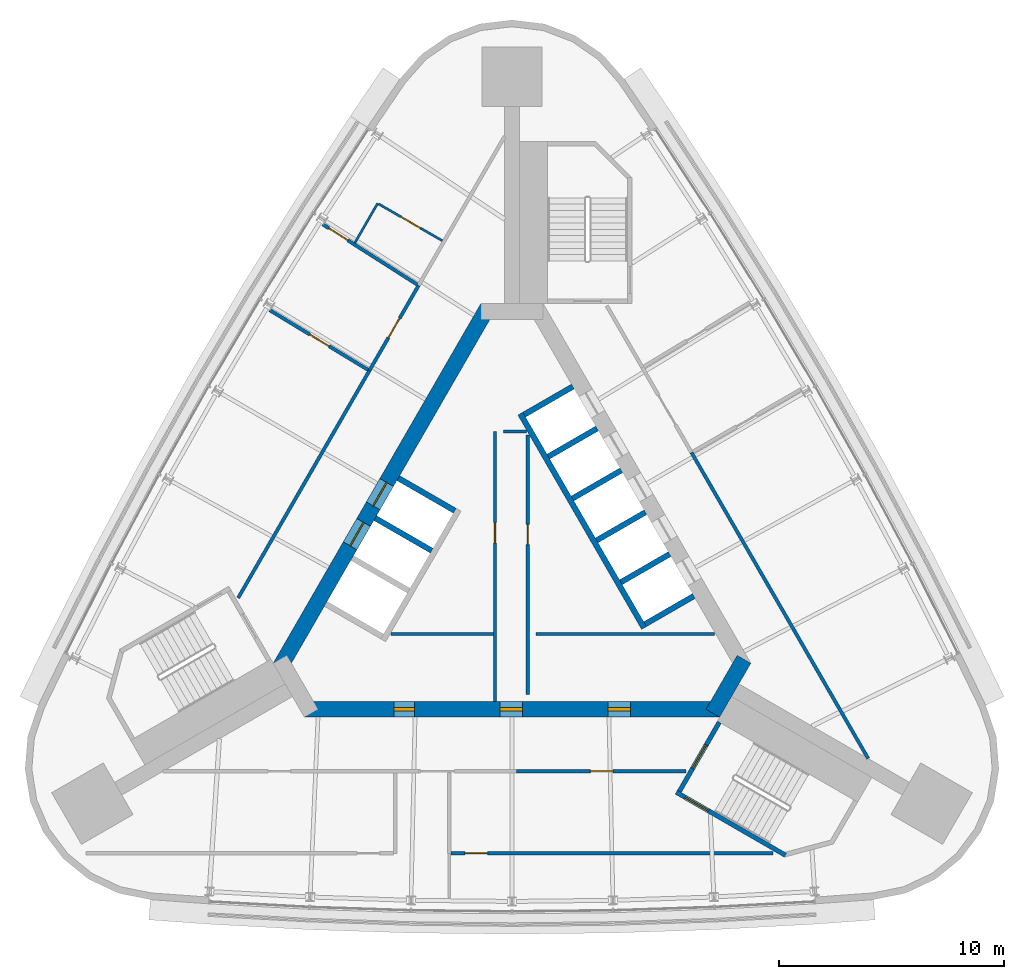
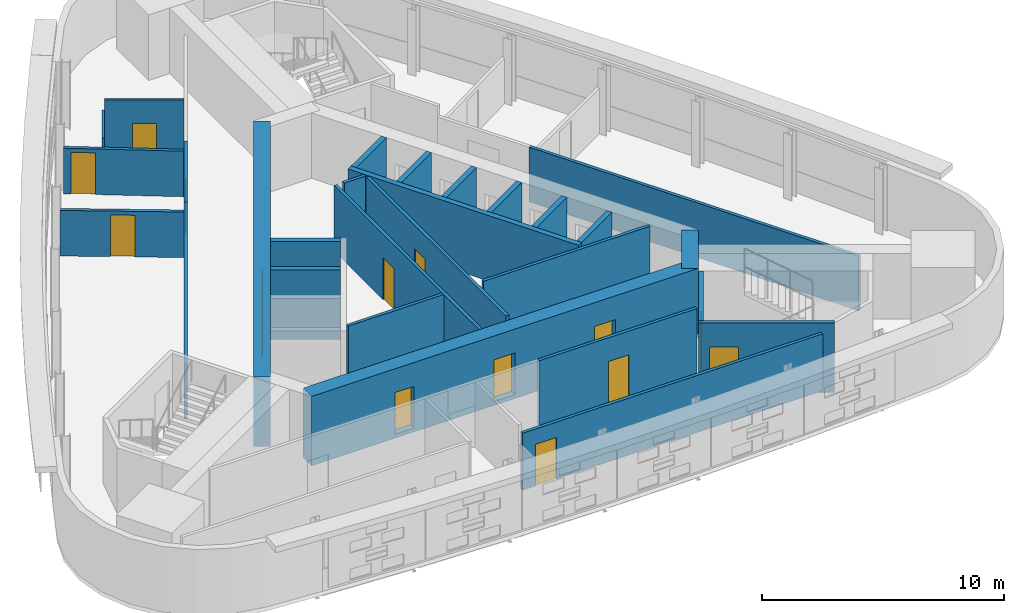
# One storey, part 7 of 11: 28 walls, 15 doors, 15 openings.
"""IFC4 building model written with IfcOpenShell, lengths in metres."""

import ifcopenshell
import ifcopenshell.guid

model = None  # the IFC model being written
_history = None  # IfcOwnerHistory: only IFC2X3 demands one
_inside = {}  # id of a spatial element -> (the spatial element, [elements in it])
_under = {}  # id of a project, library or spatial element -> (it, [spatial elements below it])
_declared = {}  # id of a project -> (the project, [libraries it declares])
_typed = {}  # id of a type object -> (the type object, [elements of that type])
_made_of = {}  # id of a material, layer set ... -> (it, [elements and type objects made of it])


def new_model(schema):
    """Start an empty IFC model of exactly this schema.

    Asked for "IFC4X3", IfcOpenShell would pick the latest addendum, in which some entities
    have other attributes; the version numbers below select the first issue.
    IFC2X3 requires an IfcOwnerHistory on every rooted entity: one is made here for all.
    """
    global model, _history
    if schema == "IFC4X3":
        model = ifcopenshell.file(schema_version=(4, 3, 0, 0))
    else:
        model = ifcopenshell.file(schema=schema)
    _inside.clear()
    _under.clear()
    _declared.clear()
    _typed.clear()
    _made_of.clear()
    _history = None
    if model.schema == "IFC2X3":
        org = make("IfcOrganization", Name="unknown")
        user = make(
            "IfcPersonAndOrganization",
            ThePerson=make("IfcPerson", FamilyName="unknown"),
            TheOrganization=org,
        )
        app = make(
            "IfcApplication",
            ApplicationDeveloper=org,
            Version="unknown",
            ApplicationFullName="unknown",
            ApplicationIdentifier="unknown",
        )
        _history = make(
            "IfcOwnerHistory",
            OwningUser=user,
            OwningApplication=app,
            ChangeAction="ADDED",
            CreationDate=0,
        )
    return model


def make(cls, **values):
    """One entity of the class cls with the attributes given. An attribute that is None is left unset."""
    return model.create_entity(
        cls, **{name: value for name, value in values.items() if value is not None}
    )


def rooted(cls, **values):
    """An entity with a GlobalId (a new one), such as an element, a storey or a relation."""
    return make(cls, GlobalId=ifcopenshell.guid.new(), OwnerHistory=_history, **values)


def si_unit(unit_type, name, prefix=None):
    """IfcSIUnit, for example si_unit("LENGTHUNIT", "METRE", prefix="MILLI")."""
    return make("IfcSIUnit", UnitType=unit_type, Prefix=prefix, Name=name)


def assignment(units):
    """IfcUnitAssignment: the units of a project."""
    return None if units is None else make("IfcUnitAssignment", Units=units)


def point(xyz):
    """IfcCartesianPoint."""
    return None if xyz is None else make("IfcCartesianPoint", Coordinates=xyz)


def direction(xyz):
    """IfcDirection."""
    return None if xyz is None else make("IfcDirection", DirectionRatios=xyz)


def frame(location, z_axis=None, x_axis=None):
    """IfcAxis2Placement3D, a coordinate frame: its origin and axes. An axis left out is left unset."""
    return make(
        "IfcAxis2Placement3D",
        Location=point(location),
        Axis=direction(z_axis),
        RefDirection=direction(x_axis),
    )


def frame_2d(location, x_axis=None):
    """IfcAxis2Placement2D, a coordinate frame in the plane: its origin and x axis."""
    return make(
        "IfcAxis2Placement2D", Location=point(location), RefDirection=direction(x_axis)
    )


def origin():
    """The frame at (0, 0, 0) with its axes left unset."""
    return frame((0.0, 0.0, 0.0))


def place(relative_to, where):
    """IfcLocalPlacement: puts the frame where relative to a parent placement (None: the world)."""
    return make(
        "IfcLocalPlacement", PlacementRelTo=relative_to, RelativePlacement=where
    )


def context(
    kind, dimensions, precision=None, world=None, true_north=None, identifier=None
):
    """IfcGeometricRepresentationContext, for example the 3D "Model" context."""
    return make(
        "IfcGeometricRepresentationContext",
        ContextIdentifier=identifier,
        ContextType=kind,
        CoordinateSpaceDimension=dimensions,
        Precision=precision,
        WorldCoordinateSystem=world,
        TrueNorth=true_north,
    )


def subcontext(parent, identifier, kind, view, scale=None):
    """IfcGeometricRepresentationSubContext, for example "Body" below "Model"."""
    return make(
        "IfcGeometricRepresentationSubContext",
        ContextIdentifier=identifier,
        ContextType=kind,
        ParentContext=parent,
        TargetScale=scale,
        TargetView=view,
    )


def project(units=None, contexts=None):
    """IfcProject with its units and contexts."""
    return rooted(
        "IfcProject",
        Name="project",
        RepresentationContexts=contexts,
        UnitsInContext=assignment(units),
    )


def spatial(cls, under=None, at=None, **own):
    """A site, building, storey or space (cls), placed at a placement, below another one or the project."""
    s = rooted(cls, ObjectPlacement=at, **own)
    if under is not None:
        _under.setdefault(under.id(), (under, []))[1].append(s)
    return s


def profile(cls, at=None, kind="AREA", **sizes):
    """A parametric profile (cls). Its sizes go by their IFC names, for example OverallWidth=200.0."""
    return make(cls, ProfileType=kind, Position=at, **sizes)


def rectangle(**sizes):
    """IfcRectangleProfileDef."""
    return profile("IfcRectangleProfileDef", **sizes)


def extrude(swept, where, along, depth):
    """IfcExtrudedAreaSolid: the profile swept, set in the frame where, extruded along a direction by depth."""
    return make(
        "IfcExtrudedAreaSolid",
        SweptArea=swept,
        Position=where,
        ExtrudedDirection=direction(along),
        Depth=depth,
    )


def shape(context_of_items, identifier, shape_type, items):
    """IfcShapeRepresentation: the items that make up one representation, for example the "Body"."""
    return make(
        "IfcShapeRepresentation",
        ContextOfItems=context_of_items,
        RepresentationIdentifier=identifier,
        RepresentationType=shape_type,
        Items=items,
    )


def material(Name=None, Category=None):
    """IfcMaterial."""
    return make("IfcMaterial", Name=Name, Category=Category)


def layer(
    of_material, thickness, ventilated=None, Name=None, Category=None, Priority=None
):
    """IfcMaterialLayer: one layer of a wall or slab, of a material (None: an air gap)."""
    return make(
        "IfcMaterialLayer",
        Material=of_material,
        LayerThickness=thickness,
        IsVentilated=ventilated,
        Name=Name,
        Category=Category,
        Priority=Priority,
    )


def layer_set(layers, Name=None):
    """IfcMaterialLayerSet."""
    return make("IfcMaterialLayerSet", MaterialLayers=layers, LayerSetName=Name)


def made_of(thing, what):
    """Note that an element or type object is made of a material, layer set ...; save() writes the relation."""
    if what is not None:
        _made_of.setdefault(what.id(), (what, []))[1].append(thing)
    return thing


def type_object(cls, material=None, **own):
    """A type object (cls), such as IfcWallType, which elements share."""
    return made_of(rooted(cls, **own), material)


def element(
    cls,
    number,
    at=None,
    inside=None,
    cuts=None,
    type_object=None,
    material=None,
    context=None,
    identifier="Body",
    shape_type=None,
    held_by="IfcProductDefinitionShape",
    body=None,
    shapes=None,
    **own,
):
    """One element of the class cls, such as IfcWall. Its Tag is "e" and its number.

    at: its placement. inside: the storey or other place that contains it. cuts: it is an
    opening in that element (IfcRelVoidsElement). A single representation is given by context,
    identifier, shape_type and body (its items); several are given by shapes. held_by: the class
    of the entity that holds the representations. save() writes the other relations.
    """
    e = rooted(cls, Tag="e%d" % number, ObjectPlacement=at, **own)
    if body is not None:
        shapes = [shape(context, identifier, shape_type, body)]
    if shapes is not None:
        e.Representation = make(held_by, Representations=shapes)
    if inside is not None:
        _inside.setdefault(inside.id(), (inside, []))[1].append(e)
    if cuts is not None:
        rooted(
            "IfcRelVoidsElement", RelatingBuildingElement=cuts, RelatedOpeningElement=e
        )
    if type_object is not None:
        _typed.setdefault(type_object.id(), (type_object, []))[1].append(e)
    return made_of(e, material)


def fill(opening, filler):
    """IfcRelFillsElement: the door or window that sits in an opening."""
    return rooted(
        "IfcRelFillsElement",
        RelatingOpeningElement=opening,
        RelatedBuildingElement=filler,
    )


def aggregate(whole, parts):
    """IfcRelAggregates: a whole, such as a stair, and the parts it consists of."""
    return rooted("IfcRelAggregates", RelatingObject=whole, RelatedObjects=parts)


def save(model, path):
    """Write the relations noted so far, then the file.

    IfcRelAggregates (storeys below a building ...), IfcRelContainedInSpatialStructure (elements
    in a storey), IfcRelDefinesByType, IfcRelAssociatesMaterial and IfcRelDeclares: one each for
    every whole, place, type object, material and project.
    """
    for whole, parts in _under.values():
        aggregate(whole, parts)
    for where, things in _inside.values():
        rooted(
            "IfcRelContainedInSpatialStructure",
            RelatedElements=things,
            RelatingStructure=where,
        )
    for kind, things in _typed.values():
        rooted("IfcRelDefinesByType", RelatedObjects=things, RelatingType=kind)
    for what, things in _made_of.values():
        rooted("IfcRelAssociatesMaterial", RelatedObjects=things, RelatingMaterial=what)
    for by, libraries in _declared.values():
        rooted("IfcRelDeclares", RelatingContext=by, RelatedDefinitions=libraries)
    model.write(path)


model = new_model("IFC4")

# Units and contexts
model_context = context("Model", 3, precision=1e-05, world=origin(), true_north=direction((0.0, 1.0)))
body_context = subcontext(model_context, "Body", "Model", "MODEL_VIEW")
ifc_project = project(units=[si_unit("LENGTHUNIT", "METRE"), si_unit("AREAUNIT", "SQUARE_METRE"), si_unit("VOLUMEUNIT", "CUBIC_METRE"), si_unit("PLANEANGLEUNIT", "RADIAN"), si_unit("MASSUNIT", "GRAM", prefix="KILO")], contexts=[model_context])

# Site, building, storey
site_placement = place(None, origin())
site = spatial("IfcSite", under=ifc_project, at=site_placement, CompositionType="ELEMENT")
building_placement = place(site_placement, origin())
building = spatial("IfcBuilding", under=site, at=building_placement, Name="Noor Cloister Tower", CompositionType="ELEMENT")
storey_placement = place(building_placement, frame((0.0, 0.0, 206.699951171875)))
storey = spatial("IfcBuildingStorey", under=building, at=storey_placement, Name="L53", CompositionType="ELEMENT", Elevation=206.699951171875)

# Wall
ifc_material_1 = material(Name="Concrete C30/37", Category="concrete")
ifc_layer_1 = layer(ifc_material_1, 0.14990234375)
ifc_layer_set_1 = layer_set([ifc_layer_1], Name="Core partition 150 C30/37")
wall_type_1 = type_object("IfcWallType", Name="Core partition 150 C30/37", PredefinedType="PARTITIONING", material=ifc_layer_set_1)
wall_1_placement = place(storey_placement, frame((-5.373291015625, -3.228271484375, 0.0), z_axis=(0.0, 0.0, 1.0), x_axis=(1.0, 0.0, 0.0)))
element("IfcWall", 1, at=wall_1_placement, inside=storey, type_object=wall_type_1, Name="Core room partition L53 1", PredefinedType="PARTITIONING", context=body_context, shape_type="SweptSolid", body=[
    extrude(rectangle(XDim=4.544677734375, YDim=0.14990234375, at=frame_2d((2.2724609375, 0.0))), origin(), (0.0, 0.0, 1.0), 3.300048828125),
])

# Wall, opening, door
wall_2_placement = place(storey_placement, frame((-0.753662109375, 5.771728515625, 0.0), z_axis=(0.0, 0.0, 1.0), x_axis=(0.0, -1.0, 0.0)))
wall_2 = element("IfcWall", 2, at=wall_2_placement, inside=storey, type_object=wall_type_1, Name="Core room partition L53 2", PredefinedType="PARTITIONING", context=body_context, shape_type="SweptSolid", body=[
    extrude(rectangle(XDim=12.0, YDim=0.14990234375, at=frame_2d((6.0, 0.0))), origin(), (0.0, 0.0, 1.0), 3.300048828125),
])
opening_1_placement = place(wall_2_placement, frame((4.051025390625, 0.0, 0.0)))
opening_1 = element("IfcOpeningElement", 3, at=opening_1_placement, cuts=wall_2, Name="Opening L53-904", PredefinedType="OPENING", context=body_context, shape_type="SweptSolid", body=[
    extrude(rectangle(XDim=0.89990234375, YDim=2.10009765625, at=frame_2d((0.449951171875, 1.050048828125))), frame((0.0, 0.0849609375, 0.0), z_axis=(0.0, -1.0, 0.0), x_axis=(1.0, 0.0, 0.0)), (0.0, 0.0, 1.0), 0.169921875),
])
ifc_material_2 = material(Name="Steel", Category="steel")
door_type_1 = type_object("IfcDoorType", Name="Core door 900 x 2100 FD120", OperationType="SINGLE_SWING_LEFT", PredefinedType="DOOR", material=ifc_material_2)
door_1_placement = place(opening_1_placement, origin())
door_1 = element("IfcDoor", 4, at=door_1_placement, inside=storey, type_object=door_type_1, Name="Core door 4 L53", OperationType="SINGLE_SWING_RIGHT", OverallHeight=2.10009765625, OverallWidth=0.89990234375, PredefinedType="DOOR", context=body_context, shape_type="SweptSolid", body=[
    extrude(rectangle(XDim=0.89990234375, YDim=2.10009765625, at=frame_2d((0.449951171875, 1.050048828125))), frame((0.0, 0.02490234375, 0.0), z_axis=(0.0, -1.0, 0.0), x_axis=(1.0, 0.0, 0.0)), (0.0, 0.0, 1.0), 0.050048828125),
])
fill(opening_1, door_1)

# Wall
wall_3_placement = place(storey_placement, frame((-0.378662109375, 5.771728515625, 0.0), z_axis=(0.0, 0.0, 1.0), x_axis=(1.0, 0.0, 0.0)))
element("IfcWall", 5, at=wall_3_placement, inside=storey, type_object=wall_type_1, Name="Core room partition L53 3", PredefinedType="PARTITIONING", context=body_context, shape_type="SweptSolid", body=[
    extrude(rectangle(XDim=1.017578125, YDim=0.14990234375, at=frame_2d((0.5087890625, 0.0))), origin(), (0.0, 0.0, 1.0), 3.300048828125),
])

# Wall, opening, door
wall_4_placement = place(storey_placement, frame((0.6962890625, -5.92822265625, 0.0), z_axis=(0.0, 0.0, 1.0), x_axis=(0.0, 1.0, 0.0)))
wall_4 = element("IfcWall", 6, at=wall_4_placement, inside=storey, type_object=wall_type_1, Name="Core room partition L53 4", PredefinedType="PARTITIONING", context=body_context, shape_type="SweptSolid", body=[
    extrude(rectangle(XDim=11.548583984375, YDim=0.14990234375, at=frame_2d((5.7744140625, 0.0))), origin(), (0.0, 0.0, 1.0), 3.300048828125),
])
opening_2_placement = place(wall_4_placement, frame((6.67333984375, 0.0, 0.0)))
opening_2 = element("IfcOpeningElement", 7, at=opening_2_placement, cuts=wall_4, Name="Opening L53-905", PredefinedType="OPENING", context=body_context, shape_type="SweptSolid", body=[
    extrude(rectangle(XDim=0.89990234375, YDim=2.10009765625, at=frame_2d((0.449951171875, 1.050048828125))), frame((0.0, 0.0849609375, 0.0), z_axis=(0.0, -1.0, 0.0), x_axis=(1.0, 0.0, 0.0)), (0.0, 0.0, 1.0), 0.169921875),
])
door_2_placement = place(opening_2_placement, origin())
door_2 = element("IfcDoor", 8, at=door_2_placement, inside=storey, type_object=door_type_1, Name="Core door 5 L53", OperationType="SINGLE_SWING_LEFT", OverallHeight=2.10009765625, OverallWidth=0.89990234375, PredefinedType="DOOR", context=body_context, shape_type="SweptSolid", body=[
    extrude(rectangle(XDim=0.89990234375, YDim=2.10009765625, at=frame_2d((0.449951171875, 1.050048828125))), frame((0.0, 0.02490234375, 0.0), z_axis=(0.0, -1.0, 0.0), x_axis=(1.0, 0.0, 0.0)), (0.0, 0.0, 1.0), 0.050048828125),
])
fill(opening_2, door_2)

# Wall
wall_5_placement = place(storey_placement, frame((1.0712890625, -3.228271484375, 0.0), z_axis=(0.0, 0.0, 1.0), x_axis=(1.0, 0.0, 0.0)))
element("IfcWall", 9, at=wall_5_placement, inside=storey, type_object=wall_type_1, Name="Core room partition L53 5", PredefinedType="PARTITIONING", context=body_context, shape_type="SweptSolid", body=[
    extrude(rectangle(XDim=7.939208984375, YDim=0.14990234375, at=frame_2d((3.9697265625, 0.0))), origin(), (0.0, 0.0, 1.0), 3.300048828125),
])

# Wall, openings, doors
ifc_material_3 = material(Name="Concrete C70/85", Category="concrete")
ifc_layer_2 = layer(ifc_material_3, 0.699951171875)
ifc_layer_set_2 = layer_set([ifc_layer_2], Name="Core wall 700 C70/85")
wall_type_2 = type_object("IfcWallType", Name="Core wall 700 C70/85", PredefinedType="SHEAR", material=ifc_layer_set_2)
wall_6_placement = place(storey_placement, frame((-9.228759765625, -6.578125, -0.199951171875), z_axis=(0.0, 0.0, 1.0), x_axis=(1.0, 0.0, 0.0)))
wall_6 = element("IfcWall", 10, at=wall_6_placement, inside=storey, type_object=wall_type_2, Name="Core wall L53 1", PredefinedType="SHEAR", context=body_context, shape_type="SweptSolid", body=[
    extrude(rectangle(XDim=18.45751953125, YDim=0.699951171875, at=frame_2d((9.228759765625, 0.0))), origin(), (0.0, 0.0, 1.0), 3.5),
])
opening_3_placement = place(wall_6_placement, frame((8.699951171875, 0.0, 0.199951171875)))
opening_3 = element("IfcOpeningElement", 11, at=opening_3_placement, cuts=wall_6, Name="Opening L53-901", PredefinedType="OPENING", context=body_context, shape_type="SweptSolid", body=[
    extrude(rectangle(XDim=1.0, YDim=2.10009765625, at=frame_2d((0.5, 1.050048828125))), frame((0.0, 0.35986328125, 0.0), z_axis=(0.0, -1.0, 0.0), x_axis=(1.0, 0.0, 0.0)), (0.0, 0.0, 1.0), 0.719970703125),
])
opening_4_placement = place(wall_6_placement, frame((3.989501953125, 0.0, 0.199951171875)))
opening_4 = element("IfcOpeningElement", 12, at=opening_4_placement, cuts=wall_6, Name="Opening L53-902", PredefinedType="OPENING", context=body_context, shape_type="SweptSolid", body=[
    extrude(rectangle(XDim=0.89990234375, YDim=2.10009765625, at=frame_2d((0.449951171875, 1.050048828125))), frame((0.0, 0.35986328125, 0.0), z_axis=(0.0, -1.0, 0.0), x_axis=(1.0, 0.0, 0.0)), (0.0, 0.0, 1.0), 0.719970703125),
])
opening_5_placement = place(wall_6_placement, frame((13.489013671875, 0.0, 0.199951171875)))
opening_5 = element("IfcOpeningElement", 13, at=opening_5_placement, cuts=wall_6, Name="Opening L53-903", PredefinedType="OPENING", context=body_context, shape_type="SweptSolid", body=[
    extrude(rectangle(XDim=1.0, YDim=2.10009765625, at=frame_2d((0.5, 1.050048828125))), frame((0.0, 0.35986328125, 0.0), z_axis=(0.0, -1.0, 0.0), x_axis=(1.0, 0.0, 0.0)), (0.0, 0.0, 1.0), 0.719970703125),
])
ifc_material_4 = material(Name="Steel", Category="steel")
door_type_2 = type_object("IfcDoorType", Name="Core door 1000 x 2100 FD120", OperationType="SINGLE_SWING_LEFT", PredefinedType="DOOR", material=ifc_material_4)
door_3_placement = place(opening_3_placement, origin())
door_3 = element("IfcDoor", 14, at=door_3_placement, inside=storey, type_object=door_type_2, Name="Core door 1 L53", OperationType="SINGLE_SWING_LEFT", OverallHeight=2.10009765625, OverallWidth=1.0, PredefinedType="DOOR", context=body_context, shape_type="SweptSolid", body=[
    extrude(rectangle(XDim=1.0, YDim=2.10009765625, at=frame_2d((0.5, 1.050048828125))), frame((0.0, 0.074951171875, 0.0), z_axis=(0.0, -1.0, 0.0), x_axis=(1.0, 0.0, 0.0)), (0.0, 0.0, 1.0), 0.14990234375),
])
fill(opening_3, door_3)
ifc_material_5 = material(Name="Steel", Category="steel")
door_type_3 = type_object("IfcDoorType", Name="Core door 1000 x 2100 FD60", OperationType="SINGLE_SWING_LEFT", PredefinedType="DOOR", material=ifc_material_5)
door_4_placement = place(opening_5_placement, origin())
door_4 = element("IfcDoor", 15, at=door_4_placement, inside=storey, type_object=door_type_3, Name="Core door 3 L53", OperationType="SINGLE_SWING_LEFT", OverallHeight=2.10009765625, OverallWidth=1.0, PredefinedType="DOOR", context=body_context, shape_type="SweptSolid", body=[
    extrude(rectangle(XDim=1.0, YDim=2.10009765625, at=frame_2d((0.5, 1.050048828125))), frame((0.0, 0.074951171875, 0.0), z_axis=(0.0, -1.0, 0.0), x_axis=(1.0, 0.0, 0.0)), (0.0, 0.0, 1.0), 0.14990234375),
])
fill(opening_5, door_4)
door_5_placement = place(opening_4_placement, origin())
door_5 = element("IfcDoor", 16, at=door_5_placement, inside=storey, type_object=door_type_1, Name="Core door 2 L53", OperationType="SINGLE_SWING_RIGHT", OverallHeight=2.10009765625, OverallWidth=0.89990234375, PredefinedType="DOOR", context=body_context, shape_type="SweptSolid", body=[
    extrude(rectangle(XDim=0.89990234375, YDim=2.10009765625, at=frame_2d((0.449951171875, 1.050048828125))), frame((0.0, 0.074951171875, 0.0), z_axis=(0.0, -1.0, 0.0), x_axis=(1.0, 0.0, 0.0)), (0.0, 0.0, 1.0), 0.14990234375),
])
fill(opening_4, door_5)

# Wall
wall_7_placement = place(storey_placement, frame((8.925537109375, -6.753173828125, -0.199951171875), z_axis=(0.0, 0.0, 1.0), x_axis=(0.500042739161, 0.866000726912, 0.0)))
element("IfcWall", 17, at=wall_7_placement, inside=storey, type_object=wall_type_2, Name="Core wall L53 2", PredefinedType="SHEAR", context=body_context, shape_type="SweptSolid", body=[
    extrude(rectangle(XDim=2.771240234375, YDim=0.699951171875, at=frame_2d((1.3857421875, 0.0))), origin(), (0.0, 0.0, 1.0), 3.5),
])

# Wall, openings, doors
wall_8_placement = place(storey_placement, frame((-1.08251953125, 11.281494140625, -0.199951171875), z_axis=(0.0, 0.0, 1.0), x_axis=(-0.500001446645, -0.866024568562, 0.0)))
wall_8 = element("IfcWall", 18, at=wall_8_placement, inside=storey, type_object=wall_type_2, Name="Core wall L53 5", PredefinedType="SHEAR", context=body_context, shape_type="SweptSolid", body=[
    extrude(rectangle(XDim=18.45751953125, YDim=0.699951171875, at=frame_2d((9.228759765625, 0.0))), origin(), (0.0, 0.0, 1.0), 3.5),
])
opening_6_placement = place(wall_8_placement, frame((8.978759765625, 0.0, 0.199951171875)))
opening_6 = element("IfcOpeningElement", 19, at=opening_6_placement, cuts=wall_8, Name="Opening L53-FF1", PredefinedType="OPENING", context=body_context, shape_type="SweptSolid", body=[
    extrude(rectangle(XDim=1.199951171875, YDim=2.10009765625, at=frame_2d((0.60009765625, 1.050048828125))), frame((0.0, 0.35986328125, 0.0), z_axis=(0.0, -1.0, 0.0), x_axis=(1.0, 0.0, 0.0)), (0.0, 0.0, 1.0), 0.719970703125),
])
opening_7_placement = place(wall_8_placement, frame((11.02880859375, 0.0, 0.199951171875)))
opening_7 = element("IfcOpeningElement", 20, at=opening_7_placement, cuts=wall_8, Name="Opening L53-FF2", PredefinedType="OPENING", context=body_context, shape_type="SweptSolid", body=[
    extrude(rectangle(XDim=1.199951171875, YDim=2.10009765625, at=frame_2d((0.60009765625, 1.050048828125))), frame((0.0, 0.35986328125, 0.0), z_axis=(0.0, -1.0, 0.0), x_axis=(1.0, 0.0, 0.0)), (0.0, 0.0, 1.0), 0.719970703125),
])
ifc_material_6 = material(Name="Stainless steel", Category="steel")
door_type_4 = type_object("IfcDoorType", Name="Lift landing door 1200 x 2100", OperationType="DOUBLE_DOOR_SLIDING", PredefinedType="DOOR", material=ifc_material_6)
door_6_placement = place(opening_6_placement, origin())
door_6 = element("IfcDoor", 21, at=door_6_placement, inside=storey, type_object=door_type_4, Name="Landing door FF1 L53", OperationType="DOUBLE_DOOR_SLIDING", OverallHeight=2.10009765625, OverallWidth=1.199951171875, PredefinedType="DOOR", context=body_context, shape_type="SweptSolid", body=[
    extrude(rectangle(XDim=1.199951171875, YDim=2.10009765625, at=frame_2d((0.60009765625, 1.050048828125))), frame((0.0, 0.02490234375, 0.0), z_axis=(0.0, -1.0, 0.0), x_axis=(1.0, 0.0, 0.0)), (0.0, 0.0, 1.0), 0.050048828125),
])
fill(opening_6, door_6)
door_7_placement = place(opening_7_placement, origin())
door_7 = element("IfcDoor", 22, at=door_7_placement, inside=storey, type_object=door_type_4, Name="Landing door FF2 L53", OperationType="DOUBLE_DOOR_SLIDING", OverallHeight=2.10009765625, OverallWidth=1.199951171875, PredefinedType="DOOR", context=body_context, shape_type="SweptSolid", body=[
    extrude(rectangle(XDim=1.199951171875, YDim=2.10009765625, at=frame_2d((0.60009765625, 1.050048828125))), frame((0.0, 0.02490234375, 0.0), z_axis=(0.0, -1.0, 0.0), x_axis=(1.0, 0.0, 0.0)), (0.0, 0.0, 1.0), 0.050048828125),
])
fill(opening_7, door_7)

# Wall
ifc_material_7 = material(Name="Fire-rated gypsum board partition on steel studs, 150 mm", Category="steel")
ifc_layer_3 = layer(ifc_material_7, 0.14990234375)
ifc_layer_set_3 = layer_set([ifc_layer_3], Name="Fire lobby wall 150")
wall_type_3 = type_object("IfcWallType", Name="Fire lobby wall 150", PredefinedType="PARTITIONING", material=ifc_layer_set_3)
wall_9_placement = place(storey_placement, frame((-6.339599609375, 8.47607421875, 0.0), z_axis=(0.0, 0.0, 1.0), x_axis=(-0.499987514004, -0.866032612458, 0.0)))
element("IfcWall", 23, at=wall_9_placement, inside=storey, type_object=wall_type_3, Name="Wall L53-W15", PredefinedType="PARTITIONING", context=body_context, shape_type="SweptSolid", body=[
    extrude(rectangle(XDim=11.667236328125, YDim=0.14990234375, at=frame_2d((5.83349609375, 0.0))), origin(), (0.0, 0.0, 1.0), 2.751953125),
])

# Wall, opening, door
wall_10_placement = place(storey_placement, frame((-4.152099609375, 12.2646484375, 0.0), z_axis=(0.0, 0.0, 1.0), x_axis=(-0.500028399337, -0.866009006799, 0.0)))
wall_10 = element("IfcWall", 24, at=wall_10_placement, inside=storey, type_object=wall_type_3, Name="Wall L53-W18", PredefinedType="PARTITIONING", context=body_context, shape_type="SweptSolid", body=[
    extrude(rectangle(XDim=4.374755859375, YDim=0.14990234375, at=frame_2d((2.1875, 0.0))), origin(), (0.0, 0.0, 1.0), 2.751953125),
])
opening_8_placement = place(wall_10_placement, frame((1.687255859375, 0.0, 0.0)))
opening_8 = element("IfcOpeningElement", 25, at=opening_8_placement, cuts=wall_10, Name="Opening L53-009", PredefinedType="OPENING", context=body_context, shape_type="SweptSolid", body=[
    extrude(rectangle(XDim=1.0, YDim=2.10009765625, at=frame_2d((0.5, 1.050048828125))), frame((0.0, 0.0849609375, 0.0), z_axis=(0.0, -1.0, 0.0), x_axis=(1.0, 0.0, 0.0)), (0.0, 0.0, 1.0), 0.169921875),
])
ifc_material_8 = material(Name="Timber door leaf with steel frame", Category="steel")
door_type_5 = type_object("IfcDoorType", Name="Fire lobby door 1000", OperationType="NOTDEFINED", PredefinedType="DOOR", material=ifc_material_8)
door_8_placement = place(opening_8_placement, origin())
door_8 = element("IfcDoor", 26, at=door_8_placement, inside=storey, type_object=door_type_5, Name="Door L53-009", OperationType="SINGLE_SWING_LEFT", OverallHeight=2.10009765625, OverallWidth=1.0, PredefinedType="DOOR", context=body_context, shape_type="SweptSolid", body=[
    extrude(rectangle(XDim=1.0, YDim=2.10009765625, at=frame_2d((0.5, 1.050048828125))), frame((0.0, 0.02490234375, 0.0), z_axis=(0.0, -1.0, 0.0), x_axis=(1.0, 0.0, 0.0)), (0.0, 0.0, 1.0), 0.050048828125),
])
fill(opening_8, door_8)

# Wall
ifc_material_9 = material(Name="Gypsum board partition on steel studs, 150 mm", Category="steel")
ifc_layer_4 = layer(ifc_material_9, 0.14990234375)
ifc_layer_set_4 = layer_set([ifc_layer_4], Name="Flat wall 150")
wall_type_4 = type_object("IfcWallType", Name="Flat wall 150", PredefinedType="PARTITIONING", material=ifc_layer_set_4)
wall_11_placement = place(storey_placement, frame((15.83203125, -8.765380859375, 0.0), z_axis=(0.0, 0.0, 1.0), x_axis=(-0.499997377664, 0.866026917785, 0.0)))
element("IfcWall", 27, at=wall_11_placement, inside=storey, type_object=wall_type_4, Name="Wall L53-W01", PredefinedType="PARTITIONING", context=body_context, shape_type="SweptSolid", body=[
    extrude(rectangle(XDim=15.70703125, YDim=0.14990234375, at=frame_2d((7.853515625, 0.0))), origin(), (0.0, 0.0, 1.0), 2.751953125),
])

# Wall, opening, door
wall_12_placement = place(storey_placement, frame((0.199951171875, -9.328125, 0.0), z_axis=(0.0, 0.0, 1.0), x_axis=(1.0, 0.0, 0.0)))
wall_12 = element("IfcWall", 28, at=wall_12_placement, inside=storey, type_object=wall_type_4, Name="Wall L53-W07", PredefinedType="PARTITIONING", context=body_context, shape_type="SweptSolid", body=[
    extrude(rectangle(XDim=7.527587890625, YDim=0.14990234375, at=frame_2d((3.763671875, 0.0))), origin(), (0.0, 0.0, 1.0), 3.300048828125),
])
opening_9_placement = place(wall_12_placement, frame((3.288818359375, 0.0, 0.0)))
opening_9 = element("IfcOpeningElement", 29, at=opening_9_placement, cuts=wall_12, Name="Opening L53-008", PredefinedType="OPENING", context=body_context, shape_type="SweptSolid", body=[
    extrude(rectangle(XDim=1.0, YDim=2.10009765625, at=frame_2d((0.5, 1.050048828125))), frame((0.0, 0.0849609375, 0.0), z_axis=(0.0, -1.0, 0.0), x_axis=(1.0, 0.0, 0.0)), (0.0, 0.0, 1.0), 0.169921875),
])
ifc_material_10 = material(Name="Timber door leaf with steel frame", Category="steel")
door_type_6 = type_object("IfcDoorType", Name="Interior door 1000 FD60", OperationType="NOTDEFINED", PredefinedType="DOOR", material=ifc_material_10)
door_9_placement = place(opening_9_placement, origin())
door_9 = element("IfcDoor", 30, at=door_9_placement, inside=storey, type_object=door_type_6, Name="Door L53-008", OperationType="SINGLE_SWING_RIGHT", OverallHeight=2.10009765625, OverallWidth=1.0, PredefinedType="DOOR", context=body_context, shape_type="SweptSolid", body=[
    extrude(rectangle(XDim=1.0, YDim=2.10009765625, at=frame_2d((0.5, 1.050048828125))), frame((0.0, 0.02490234375, 0.0), z_axis=(0.0, -1.0, 0.0), x_axis=(1.0, 0.0, 0.0)), (0.0, 0.0, 1.0), 0.050048828125),
])
fill(opening_9, door_9)

wall_13_placement = place(storey_placement, frame((-2.70947265625, -12.978515625, 0.0), z_axis=(0.0, 0.0, 1.0), x_axis=(1.0, 0.0, 0.0)))
wall_13 = element("IfcWall", 31, at=wall_13_placement, inside=storey, type_object=wall_type_4, Name="Wall L53-W13", PredefinedType="PARTITIONING", context=body_context, shape_type="SweptSolid", body=[
    extrude(rectangle(XDim=14.31787109375, YDim=0.14990234375, at=frame_2d((7.158935546875, 0.0))), origin(), (0.0, 0.0, 1.0), 2.8740234375),
])
opening_10_placement = place(wall_13_placement, frame((0.625, 0.0, 0.0)))
opening_10 = element("IfcOpeningElement", 32, at=opening_10_placement, cuts=wall_13, Name="Opening L53-007", PredefinedType="OPENING", context=body_context, shape_type="SweptSolid", body=[
    extrude(rectangle(XDim=1.0, YDim=2.10009765625, at=frame_2d((0.5, 1.050048828125))), frame((0.0, 0.0849609375, 0.0), z_axis=(0.0, -1.0, 0.0), x_axis=(1.0, 0.0, 0.0)), (0.0, 0.0, 1.0), 0.169921875),
])
door_10_placement = place(opening_10_placement, origin())
door_10 = element("IfcDoor", 33, at=door_10_placement, inside=storey, type_object=door_type_6, Name="Door L53-007", OperationType="SINGLE_SWING_LEFT", OverallHeight=2.10009765625, OverallWidth=1.0, PredefinedType="DOOR", context=body_context, shape_type="SweptSolid", body=[
    extrude(rectangle(XDim=1.0, YDim=2.10009765625, at=frame_2d((0.5, 1.050048828125))), frame((0.0, 0.02490234375, 0.0), z_axis=(0.0, -1.0, 0.0), x_axis=(1.0, 0.0, 0.0)), (0.0, 0.0, 1.0), 0.050048828125),
])
fill(opening_10, door_10)

wall_14_placement = place(storey_placement, frame((-8.4140625, 14.980712890625, 0.0), z_axis=(0.0, 0.0, 1.0), x_axis=(0.843295819546, -0.537449682051, 0.0)))
wall_14 = element("IfcWall", 34, at=wall_14_placement, inside=storey, type_object=wall_type_4, Name="Wall L53-W16", PredefinedType="PARTITIONING", context=body_context, shape_type="SweptSolid", body=[
    extrude(rectangle(XDim=4.978759765625, YDim=0.14990234375, at=frame_2d((2.4892578125, 0.0))), origin(), (0.0, 0.0, 1.0), 2.297119140625),
])
opening_11_placement = place(wall_14_placement, frame((0.3251953125, 0.0, 0.0)))
opening_11 = element("IfcOpeningElement", 35, at=opening_11_placement, cuts=wall_14, Name="Opening L53-011", PredefinedType="OPENING", context=body_context, shape_type="SweptSolid", body=[
    extrude(rectangle(XDim=1.0, YDim=2.10009765625, at=frame_2d((0.5, 1.050048828125))), frame((0.0, 0.0849609375, 0.0), z_axis=(0.0, -1.0, 0.0), x_axis=(1.0, 0.0, 0.0)), (0.0, 0.0, 1.0), 0.169921875),
])
ifc_material_11 = material(Name="Timber door leaf with steel frame", Category="steel")
door_type_7 = type_object("IfcDoorType", Name="Flat entrance door 1000", OperationType="NOTDEFINED", PredefinedType="DOOR", material=ifc_material_11)
door_11_placement = place(opening_11_placement, origin())
door_11 = element("IfcDoor", 36, at=door_11_placement, inside=storey, type_object=door_type_7, Name="Door L53-011", OperationType="SINGLE_SWING_LEFT", OverallHeight=2.10009765625, OverallWidth=1.0, PredefinedType="DOOR", context=body_context, shape_type="SweptSolid", body=[
    extrude(rectangle(XDim=1.0, YDim=2.10009765625, at=frame_2d((0.5, 1.050048828125))), frame((0.0, 0.02490234375, 0.0), z_axis=(0.0, -1.0, 0.0), x_axis=(1.0, 0.0, 0.0)), (0.0, 0.0, 1.0), 0.050048828125),
])
fill(opening_11, door_11)

wall_15_placement = place(storey_placement, frame((-10.77880859375, 11.170166015625, 0.0), z_axis=(0.0, 0.0, 1.0), x_axis=(0.854884995592, -0.518817544337, 0.0)))
wall_15 = element("IfcWall", 37, at=wall_15_placement, inside=storey, type_object=wall_type_4, Name="Wall L53-W17", PredefinedType="PARTITIONING", context=body_context, shape_type="SweptSolid", body=[
    extrude(rectangle(XDim=5.117919921875, YDim=0.14990234375, at=frame_2d((2.55908203125, 0.0))), origin(), (0.0, 0.0, 1.0), 2.297119140625),
])
opening_12_placement = place(wall_15_placement, frame((2.096435546875, 0.0, 0.0)))
opening_12 = element("IfcOpeningElement", 38, at=opening_12_placement, cuts=wall_15, Name="Opening L53-012", PredefinedType="OPENING", context=body_context, shape_type="SweptSolid", body=[
    extrude(rectangle(XDim=1.0, YDim=2.10009765625, at=frame_2d((0.5, 1.050048828125))), frame((0.0, 0.0849609375, 0.0), z_axis=(0.0, -1.0, 0.0), x_axis=(1.0, 0.0, 0.0)), (0.0, 0.0, 1.0), 0.169921875),
])
door_12_placement = place(opening_12_placement, origin())
door_12 = element("IfcDoor", 39, at=door_12_placement, inside=storey, type_object=door_type_6, Name="Door L53-012", OperationType="SINGLE_SWING_RIGHT", OverallHeight=2.10009765625, OverallWidth=1.0, PredefinedType="DOOR", context=body_context, shape_type="SweptSolid", body=[
    extrude(rectangle(XDim=1.0, YDim=2.10009765625, at=frame_2d((0.5, 1.050048828125))), frame((0.0, 0.02490234375, 0.0), z_axis=(0.0, -1.0, 0.0), x_axis=(1.0, 0.0, 0.0)), (0.0, 0.0, 1.0), 0.050048828125),
])
fill(opening_12, door_12)

# Wall
ifc_material_12 = material(Name="Gypsum board partition on steel studs, 100 mm", Category="steel")
ifc_layer_5 = layer(ifc_material_12, 0.10009765625)
ifc_layer_set_5 = layer_set([ifc_layer_5], Name="Partition 100")
wall_type_5 = type_object("IfcWallType", Name="Partition 100", PredefinedType="PARTITIONING", material=ifc_layer_set_5)
wall_16_placement = place(storey_placement, frame((-6.984619140625, 14.15869140625, 0.0), z_axis=(0.0, 0.0, 1.0), x_axis=(0.499990325971, 0.866030989016, 0.0)))
element("IfcWall", 40, at=wall_16_placement, inside=storey, type_object=wall_type_5, Name="Wall L53-W19", PredefinedType="PARTITIONING", context=body_context, shape_type="SweptSolid", body=[
    extrude(rectangle(XDim=2.02490234375, YDim=0.10009765625, at=frame_2d((1.012451171875, 0.0))), origin(), (0.0, 0.0, 1.0), 2.751953125),
])

# Wall, opening, door
wall_17_placement = place(storey_placement, frame((-5.928955078125, 15.88720703125, 0.0), z_axis=(0.0, 0.0, 1.0), x_axis=(0.866027924134, -0.499995634601, 0.0)))
wall_17 = element("IfcWall", 41, at=wall_17_placement, inside=storey, type_object=wall_type_5, Name="Wall L53-W20", PredefinedType="PARTITIONING", context=body_context, shape_type="SweptSolid", body=[
    extrude(rectangle(XDim=3.27490234375, YDim=0.10009765625, at=frame_2d((1.637451171875, 0.0))), origin(), (0.0, 0.0, 1.0), 3.300048828125),
])
opening_13_placement = place(wall_17_placement, frame((1.14990234375, 0.0, 0.0)))
opening_13 = element("IfcOpeningElement", 42, at=opening_13_placement, cuts=wall_17, Name="Opening L53-010", PredefinedType="OPENING", context=body_context, shape_type="SweptSolid", body=[
    extrude(rectangle(XDim=1.0, YDim=2.10009765625, at=frame_2d((0.5, 1.050048828125))), frame((0.0, 0.06005859375, 0.0), z_axis=(0.0, -1.0, 0.0), x_axis=(1.0, 0.0, 0.0)), (0.0, 0.0, 1.0), 0.1201171875),
])
ifc_material_13 = material(Name="Timber door leaf with steel frame", Category="steel")
door_type_8 = type_object("IfcDoorType", Name="Interior door 1000", OperationType="NOTDEFINED", PredefinedType="DOOR", material=ifc_material_13)
door_13_placement = place(opening_13_placement, origin())
door_13 = element("IfcDoor", 43, at=door_13_placement, inside=storey, type_object=door_type_8, Name="Door L53-010", OperationType="SINGLE_SWING_RIGHT", OverallHeight=2.10009765625, OverallWidth=1.0, PredefinedType="DOOR", context=body_context, shape_type="SweptSolid", body=[
    extrude(rectangle(XDim=1.0, YDim=2.10009765625, at=frame_2d((0.5, 1.050048828125))), frame((0.0, 0.02490234375, 0.0), z_axis=(0.0, -1.0, 0.0), x_axis=(1.0, 0.0, 0.0)), (0.0, 0.0, 1.0), 0.050048828125),
])
fill(opening_13, door_13)

# Walls
ifc_material_14 = material(Name="Concrete C70/85", Category="concrete")
ifc_layer_6 = layer(ifc_material_14, 0.25)
ifc_layer_set_6 = layer_set([ifc_layer_6], Name="Shaft wall 250 C70/85")
wall_type_6 = type_object("IfcWallType", Name="Shaft wall 250 C70/85", PredefinedType="PARTITIONING", material=ifc_layer_set_6)
for number, where, z_axis, x_axis, name in (
    (44, (8.081298828125, -1.540771484375, -0.199951171875), (0.0, 0.0, 1.0), (-0.866022959057, -0.500004234368, 0.0), "Lift shaft wall L53 NE 1"),
    (45, (7.00634765625, 0.3212890625, -0.199951171875), (0.0, 0.0, 1.0), (-0.866022959057, -0.500004234368, 0.0), "Lift shaft wall L53 NE 2"),
):
    element("IfcWall", number, at=place(storey_placement, frame(where, z_axis=z_axis, x_axis=x_axis)), inside=storey, type_object=wall_type_6, Name=name, PredefinedType="PARTITIONING", context=body_context, shape_type="SweptSolid", body=[
        extrude(rectangle(XDim=2.5, YDim=0.25, at=frame_2d((1.25, 0.0))), origin(), (0.0, 0.0, 1.0), 3.5),
    ])
wall_18_placement = place(storey_placement, frame((5.931396484375, 2.18310546875, -0.199951171875), z_axis=(0.0, 0.0, 1.0), x_axis=(-0.866047370643, -0.499961950354, 0.0)))
element("IfcWall", 46, at=wall_18_placement, inside=storey, type_object=wall_type_6, Name="Lift shaft wall L53 NE 3", PredefinedType="PARTITIONING", context=body_context, shape_type="SweptSolid", body=[
    extrude(rectangle(XDim=2.500244140625, YDim=0.25, at=frame_2d((1.25, 0.0))), origin(), (0.0, 0.0, 1.0), 3.5),
])
for number, where, z_axis, x_axis, name in (
    (47, (4.856201171875, 4.045166015625, -0.199951171875), (0.0, 0.0, 1.0), (-0.866022959057, -0.500004234368, 0.0), "Lift shaft wall L53 NE 4"),
    (48, (3.78125, 5.906982421875, -0.199951171875), (0.0, 0.0, 1.0), (-0.866022959057, -0.500004234368, 0.0), "Lift shaft wall L53 NE 5"),
    (49, (2.706298828125, 7.76904296875, -0.199951171875), (0.0, 0.0, 1.0), (-0.866022959057, -0.500004234368, 0.0), "Lift shaft wall L53 NE 6"),
):
    element("IfcWall", number, at=place(storey_placement, frame(where, z_axis=z_axis, x_axis=x_axis)), inside=storey, type_object=wall_type_6, Name=name, PredefinedType="PARTITIONING", context=body_context, shape_type="SweptSolid", body=[
        extrude(rectangle(XDim=2.5, YDim=0.25, at=frame_2d((1.25, 0.0))), origin(), (0.0, 0.0, 1.0), 3.5),
    ])
wall_19_placement = place(storey_placement, frame((5.870361328125, -2.96142578125, 0.0), z_axis=(0.0, 0.0, 1.0), x_axis=(-0.50000615651, 0.866021849293, 0.0)))
element("IfcWall", 50, at=wall_19_placement, inside=storey, type_object=wall_type_6, Name="Lift shaft back wall L53 NE", PredefinedType="PARTITIONING", context=body_context, shape_type="SweptSolid", body=[
    extrude(rectangle(XDim=10.999755859375, YDim=0.25, at=frame_2d((5.5, 0.0))), origin(), (0.0, 0.0, 1.0), 3.300048828125),
])
for number, where, z_axis, x_axis, name in (
    (51, (-5.056396484375, 3.69873046875, -0.199951171875), (0.0, 0.0, 1.0), (0.866032775405, -0.499987231761, 0.0), "Lift shaft wall L53 NW 3"),
    (52, (-6.081298828125, 1.92333984375, -0.199951171875), (0.0, 0.0, 1.0), (0.866032775405, -0.499987231761, 0.0), "Lift shaft wall L53 NW 4"),
):
    element("IfcWall", number, at=place(storey_placement, frame(where, z_axis=z_axis, x_axis=x_axis)), inside=storey, type_object=wall_type_6, Name=name, PredefinedType="PARTITIONING", context=body_context, shape_type="SweptSolid", body=[
        extrude(rectangle(XDim=2.89990234375, YDim=0.25, at=frame_2d((1.449951171875, 0.0))), origin(), (0.0, 0.0, 1.0), 3.5),
    ])

# Wall, opening, door
ifc_material_15 = material(Name="Concrete C70/85", Category="concrete")
ifc_layer_7 = layer(ifc_material_15, 0.199951171875)
ifc_layer_set_7 = layer_set([ifc_layer_7], Name="Stair enclosure wall 200 C70/85")
wall_type_7 = type_object("IfcWallType", Name="Stair enclosure wall 200 C70/85", PredefinedType="SHEAR", material=ifc_layer_set_7)
wall_20_placement = place(storey_placement, frame((7.440185546875, -10.225830078125, -0.199951171875), z_axis=(0.0, 0.0, 1.0), x_axis=(0.500022077904, 0.866012656725, 0.0)))
wall_20 = element("IfcWall", 53, at=wall_20_placement, inside=storey, type_object=wall_type_7, Name="Stair enclosure wall ST3 L53 near end", PredefinedType="SHEAR", context=body_context, shape_type="SweptSolid", body=[
    extrude(rectangle(XDim=3.550048828125, YDim=0.199951171875, at=frame_2d((1.77490234375, 0.0))), origin(), (0.0, 0.0, 1.0), 3.5),
])
opening_14_placement = place(wall_20_placement, frame((1.175048828125, 0.0, 0.199951171875)))
opening_14 = element("IfcOpeningElement", 54, at=opening_14_placement, cuts=wall_20, Name="Opening L53-ST3L", PredefinedType="OPENING", context=body_context, shape_type="SweptSolid", body=[
    extrude(rectangle(XDim=1.199951171875, YDim=2.10009765625, at=frame_2d((0.60009765625, 1.050048828125))), frame((0.0, 0.10986328125, 0.0), z_axis=(0.0, -1.0, 0.0), x_axis=(1.0, 0.0, 0.0)), (0.0, 0.0, 1.0), 0.219970703125),
])
ifc_material_16 = material(Name="Steel", Category="steel")
door_type_9 = type_object("IfcDoorType", Name="Stair door 1200 x 2100 FD120", OperationType="SINGLE_SWING_LEFT", PredefinedType="DOOR", material=ifc_material_16)
door_14_placement = place(opening_14_placement, origin())
door_14 = element("IfcDoor", 55, at=door_14_placement, inside=storey, type_object=door_type_9, Name="Stair door ST3 L53", OperationType="SINGLE_SWING_RIGHT", OverallHeight=2.10009765625, OverallWidth=1.199951171875, PredefinedType="DOOR", context=body_context, shape_type="SweptSolid", body=[
    extrude(rectangle(XDim=1.199951171875, YDim=2.10009765625, at=frame_2d((0.60009765625, 1.050048828125))), frame((0.0, 0.02490234375, 0.0), z_axis=(0.0, -1.0, 0.0), x_axis=(1.0, 0.0, 0.0)), (0.0, 0.0, 1.0), 0.050048828125),
])
fill(opening_14, door_14)

wall_21_placement = place(storey_placement, frame((7.3037109375, -10.262451171875, -0.199951171875), z_axis=(0.0, 0.0, 1.0), x_axis=(0.866026594901, -0.49999793692, 0.0)))
wall_21 = element("IfcWall", 56, at=wall_21_placement, inside=storey, type_object=wall_type_7, Name="Stair enclosure wall ST3 L53 outer side", PredefinedType="SHEAR", context=body_context, shape_type="SweptSolid", body=[
    extrude(rectangle(XDim=5.60009765625, YDim=0.199951171875, at=frame_2d((2.800048828125, 0.0))), origin(), (0.0, 0.0, 1.0), 3.5),
])
opening_15_placement = place(wall_21_placement, frame((0.449951171875, 0.0, 0.199951171875)))
opening_15 = element("IfcOpeningElement", 57, at=opening_15_placement, cuts=wall_21, Name="Opening L53-ST3C", PredefinedType="OPENING", context=body_context, shape_type="SweptSolid", body=[
    extrude(rectangle(XDim=1.199951171875, YDim=2.10009765625, at=frame_2d((0.60009765625, 1.050048828125))), frame((0.0, 0.10986328125, 0.0), z_axis=(0.0, -1.0, 0.0), x_axis=(1.0, 0.0, 0.0)), (0.0, 0.0, 1.0), 0.219970703125),
])
door_15_placement = place(opening_15_placement, origin())
door_15 = element("IfcDoor", 58, at=door_15_placement, inside=storey, type_object=door_type_9, Name="Stair door ST3 L53", OperationType="SINGLE_SWING_LEFT", OverallHeight=2.10009765625, OverallWidth=1.199951171875, PredefinedType="DOOR", context=body_context, shape_type="SweptSolid", body=[
    extrude(rectangle(XDim=1.199951171875, YDim=2.10009765625, at=frame_2d((0.60009765625, 1.050048828125))), frame((0.0, 0.02490234375, 0.0), z_axis=(0.0, -1.0, 0.0), x_axis=(1.0, 0.0, 0.0)), (0.0, 0.0, 1.0), 0.050048828125),
])
fill(opening_15, door_15)

save(model, "model.ifc")
